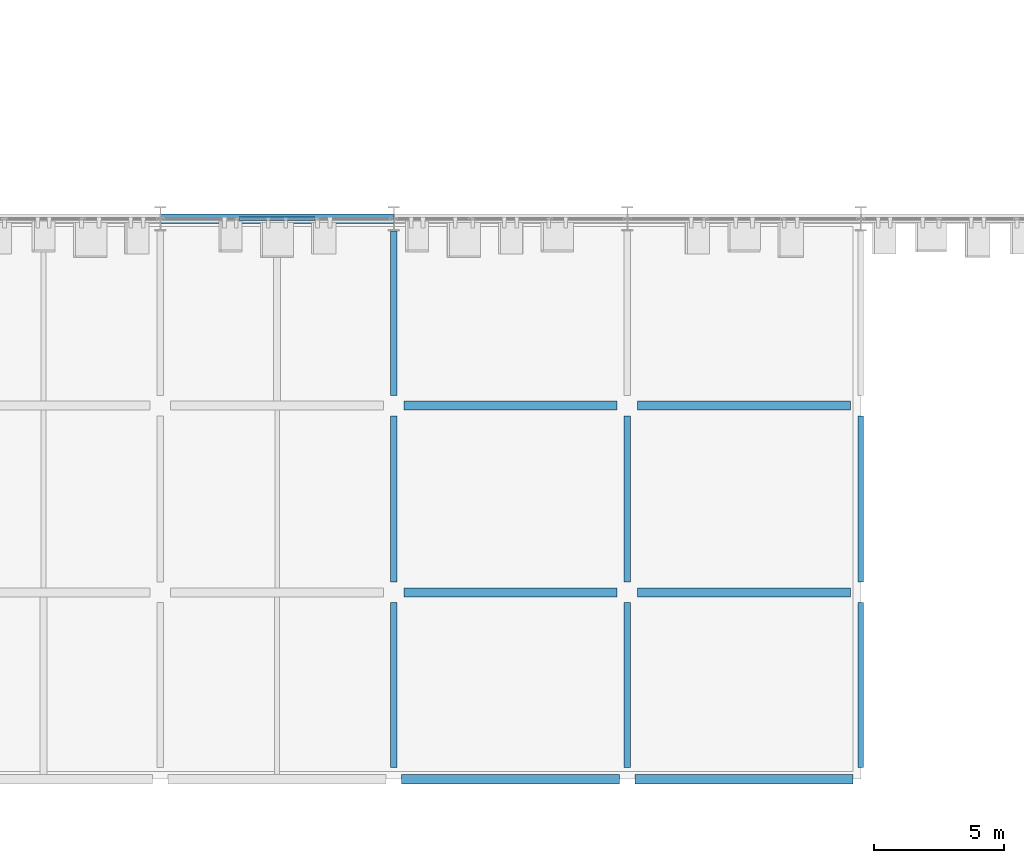
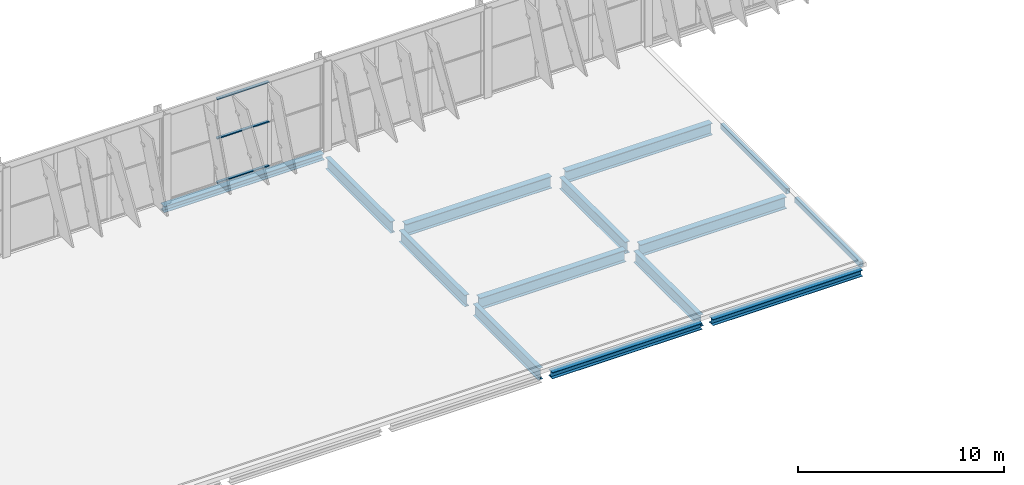
# One storey, part 28 of 189: 14 beams, 3 members, 1 element without a shape of its own.
"""IFC4 building model written with IfcOpenShell, lengths in metres."""

from ifc_helpers import new_model, si_unit, direction, frame, origin, origin_2d, place, context, subcontext, project, spatial, hollow_rectangle, i_section, extrude, material, layer, layer_set, material_profile, profile_set, type_object, element, aggregate, save


model = new_model("IFC4")

# Units and contexts
model_context = context("Model", 3, precision=1e-05, world=origin(), true_north=direction((0.0, 1.0)))
body_context = subcontext(model_context, "Body", "Model", "MODEL_VIEW")
ifc_project = project(units=[si_unit("LENGTHUNIT", "METRE"), si_unit("AREAUNIT", "SQUARE_METRE"), si_unit("VOLUMEUNIT", "CUBIC_METRE"), si_unit("PLANEANGLEUNIT", "RADIAN"), si_unit("MASSUNIT", "GRAM", prefix="KILO")], contexts=[model_context])

# Site, building, storey
site_placement = place(None, origin())
site = spatial("IfcSite", under=ifc_project, at=site_placement, CompositionType="ELEMENT")
building_placement = place(site_placement, origin())
building = spatial("IfcBuilding", under=site, at=building_placement, Name="Celestram Park Convention Centre", CompositionType="ELEMENT")
storey_placement = place(building_placement, frame((0.0, 0.0, 5.39990234375)))
storey = spatial("IfcBuildingStorey", under=building, at=storey_placement, Name="L01", CompositionType="ELEMENT", Elevation=5.39990234375)

# Curtain wall, members
ifc_material_1 = material(Name="Anodised Aluminium Alloy 6063-T6", Category="aluminium")
ifc_layer = layer(ifc_material_1, 0.179931640625)
ifc_layer_set = layer_set([ifc_layer], Name="Anodised Aluminium Alloy 6063-T6")
curtain_wall_type = type_object("IfcCurtainWallType", Name="ARC-CW-898X503", PredefinedType="NOTDEFINED", material=ifc_layer_set)
curtain_wall_placement = place(storey_placement, origin())
curtain_wall = element("IfcCurtainWall", 1, at=curtain_wall_placement, inside=storey, type_object=curtain_wall_type, Name="Unitised curtain wall CU-L01-130", PredefinedType="NOTDEFINED")
ifc_material_profile_1 = material_profile(ifc_material_1, hollow_rectangle(XDim=0.14990234375, YDim=0.06494140625, WallThickness=0.0029296875, at=origin_2d()), Name="ALU150X65X3")
ifc_profile_set_1 = profile_set([ifc_material_profile_1], Name="Anodised Aluminium Alloy 6063-T6")
member_type = type_object("IfcMemberType", Name="ARC-CWT-150", PredefinedType="USERDEFINED", material=ifc_profile_set_1)
member_1_placement = place(storey_placement, frame((95.959228515625, 21.60009765625, 0.03271484375), z_axis=(-1.0, 0.0, 0.0), x_axis=(0.0, -1.0, 0.0)))
member_1 = element("IfcMember", 2, at=member_1_placement, type_object=member_type, Name="CW-89X50 transom 2.1", ObjectType="TRANSOM", PredefinedType="USERDEFINED", context=body_context, shape_type="SweptSolid", body=[
    extrude(hollow_rectangle(XDim=0.14990234375, YDim=0.06494140625, WallThickness=0.0029296875, at=origin_2d()), origin(), (0.0, 0.0, 1.0), 2.91845703125),
])
member_2_placement = place(storey_placement, frame((95.959228515625, 21.60009765625, 2.650146484375), z_axis=(-1.0, 0.0, 0.0), x_axis=(0.0, -1.0, 0.0)))
member_2 = element("IfcMember", 3, at=member_2_placement, type_object=member_type, Name="CW-89X50 transom 2.2", ObjectType="TRANSOM", PredefinedType="USERDEFINED", context=body_context, shape_type="SweptSolid", body=[
    extrude(hollow_rectangle(XDim=0.14990234375, YDim=0.06494140625, WallThickness=0.0029296875, at=origin_2d()), origin(), (0.0, 0.0, 1.0), 2.91845703125),
])
member_3_placement = place(storey_placement, frame((95.959228515625, 21.60009765625, 4.99462890625), z_axis=(-1.0, 0.0, 0.0), x_axis=(0.0, -1.0, 0.0)))
member_3 = element("IfcMember", 4, at=member_3_placement, type_object=member_type, Name="CW-89X50 transom 2.3", ObjectType="TRANSOM", PredefinedType="USERDEFINED", context=body_context, shape_type="SweptSolid", body=[
    extrude(hollow_rectangle(XDim=0.14990234375, YDim=0.06494140625, WallThickness=0.0029296875, at=origin_2d()), origin(), (0.0, 0.0, 1.0), 2.91845703125),
])
aggregate(curtain_wall, [member_1, member_2, member_3])

# Beams
ifc_material_2 = material(Name="Steel ASTM A992 Grade 50", Category="steel")
ifc_material_profile_2 = material_profile(ifc_material_2, i_section(OverallWidth=0.35595703125, OverallDepth=0.696044921875, WebThickness=0.015380859375, FlangeThickness=0.02490234375, at=origin_2d()), Name="W27X146")
ifc_profile_set_2 = profile_set([ifc_material_profile_2], Name="Steel ASTM A992 Grade 50")
beam_type_1 = type_object("IfcBeamType", Name="STR-BM-W27X146", PredefinedType="BEAM", material=ifc_profile_set_2)
for number, where, z_axis, x_axis, name in (
    (5, (99.39794921875, 7.199951171875, -0.587890625), (1.0, 0.0, 0.0), (0.0, 1.0, 0.0), "Primary X-girder BG-L01-0187"),
    (6, (99.39794921875, 14.39990234375, -0.587890625), (1.0, 0.0, 0.0), (0.0, 1.0, 0.0), "Primary X-girder BG-L01-0189"),
    (7, (108.39794921875, 7.199951171875, -0.587890625), (1.0, 0.0, 0.0), (0.0, 1.0, 0.0), "Primary X-girder BG-L01-0210"),
    (8, (108.39794921875, 14.39990234375, -0.587890625), (1.0, 0.0, 0.0), (0.0, 1.0, 0.0), "Primary X-girder BG-L01-0212"),
):
    element("IfcBeam", number, at=place(storey_placement, frame(where, z_axis=z_axis, x_axis=x_axis)), inside=storey, type_object=beam_type_1, Name=name, PredefinedType="BEAM", context=body_context, shape_type="SweptSolid", body=[
        extrude(i_section(OverallWidth=0.35595703125, OverallDepth=0.696044921875, WebThickness=0.015380859375, FlangeThickness=0.02490234375, at=origin_2d()), origin(), (0.0, 0.0, 1.0), 8.2041015625),
    ])
ifc_material_profile_3 = material_profile(ifc_material_2, i_section(OverallWidth=0.25390625, OverallDepth=0.68310546875, WebThickness=0.012451171875, FlangeThickness=0.01904296875, at=origin_2d()), Name="W27X94")
ifc_profile_set_3 = profile_set([ifc_material_profile_3], Name="Steel ASTM A992 Grade 50")
beam_type_2 = type_object("IfcBeamType", Name="STR-BM-W27X94", PredefinedType="BEAM", material=ifc_profile_set_3)
beam_1_placement = place(storey_placement, frame((99.0, 0.447998046875, -0.581298828125), z_axis=(0.0, 1.0, 0.0), x_axis=(-1.0, 0.0, 0.0)))
element("IfcBeam", 9, at=beam_1_placement, inside=storey, type_object=beam_type_2, Name="Primary Y-girder BG-L01-0186", PredefinedType="BEAM", context=body_context, shape_type="SweptSolid", body=[
    extrude(i_section(OverallWidth=0.25390625, OverallDepth=0.68310546875, WebThickness=0.012451171875, FlangeThickness=0.01904296875, at=origin_2d()), origin(), (0.0, 0.0, 1.0), 6.35400390625),
])
beam_2_placement = place(storey_placement, frame((99.0, 7.597900390625, -0.581298828125), z_axis=(0.0, 1.0, 0.0), x_axis=(-1.0, 0.0, 0.0)))
element("IfcBeam", 10, at=beam_2_placement, inside=storey, type_object=beam_type_2, Name="Primary Y-girder BG-L01-0188", PredefinedType="BEAM", context=body_context, shape_type="SweptSolid", body=[
    extrude(i_section(OverallWidth=0.25390625, OverallDepth=0.68310546875, WebThickness=0.012451171875, FlangeThickness=0.01904296875, at=origin_2d()), origin(), (0.0, 0.0, 1.0), 6.404052734375),
])
beam_3_placement = place(storey_placement, frame((99.0, 14.798095703125, -0.581298828125), z_axis=(0.0, 1.0, 0.0), x_axis=(-1.0, 0.0, 0.0)))
element("IfcBeam", 11, at=beam_3_placement, inside=storey, type_object=beam_type_2, Name="Primary Y-girder BG-L01-0190", PredefinedType="BEAM", context=body_context, shape_type="SweptSolid", body=[
    extrude(i_section(OverallWidth=0.25390625, OverallDepth=0.68310546875, WebThickness=0.012451171875, FlangeThickness=0.01904296875, at=origin_2d()), origin(), (0.0, 0.0, 1.0), 6.337890625),
])
beam_4_placement = place(storey_placement, frame((108.0, 0.447998046875, -0.581298828125), z_axis=(0.0, 1.0, 0.0), x_axis=(-1.0, 0.0, 0.0)))
element("IfcBeam", 12, at=beam_4_placement, inside=storey, type_object=beam_type_2, Name="Primary Y-girder BG-L01-0209", PredefinedType="BEAM", context=body_context, shape_type="SweptSolid", body=[
    extrude(i_section(OverallWidth=0.25390625, OverallDepth=0.68310546875, WebThickness=0.012451171875, FlangeThickness=0.01904296875, at=origin_2d()), origin(), (0.0, 0.0, 1.0), 6.35400390625),
])
beam_5_placement = place(storey_placement, frame((108.0, 7.597900390625, -0.581298828125), z_axis=(0.0, 1.0, 0.0), x_axis=(-1.0, 0.0, 0.0)))
element("IfcBeam", 13, at=beam_5_placement, inside=storey, type_object=beam_type_2, Name="Primary Y-girder BG-L01-0211", PredefinedType="BEAM", context=body_context, shape_type="SweptSolid", body=[
    extrude(i_section(OverallWidth=0.25390625, OverallDepth=0.68310546875, WebThickness=0.012451171875, FlangeThickness=0.01904296875, at=origin_2d()), origin(), (0.0, 0.0, 1.0), 6.404052734375),
])
ifc_material_3 = material(Name="Steel ASTM A500 Grade C", Category="steel")
ifc_material_profile_4 = material_profile(ifc_material_3, hollow_rectangle(XDim=0.199951171875, YDim=0.300048828125, WallThickness=0.011962890625, at=origin_2d()), Name="HSS300X200X12")
ifc_profile_set_4 = profile_set([ifc_material_profile_4], Name="Steel ASTM A500 Grade C")
beam_type_3 = type_object("IfcBeamType", Name="STR-SPN-HSS300X200", PredefinedType="SPANDREL", material=ifc_profile_set_4)
beam_6_placement = place(storey_placement, frame((117.0, 0.447998046875, -0.389892578125), z_axis=(0.0, 1.0, 0.0), x_axis=(-1.0, 0.0, 0.0)))
element("IfcBeam", 14, at=beam_6_placement, inside=storey, type_object=beam_type_3, Name="Primary Y-girder BG-L01-0229", PredefinedType="SPANDREL", context=body_context, shape_type="SweptSolid", body=[
    extrude(hollow_rectangle(XDim=0.199951171875, YDim=0.300048828125, WallThickness=0.011962890625, at=origin_2d()), origin(), (0.0, 0.0, 1.0), 6.35400390625),
])
beam_7_placement = place(storey_placement, frame((117.0, 7.597900390625, -0.389892578125), z_axis=(0.0, 1.0, 0.0), x_axis=(-1.0, 0.0, 0.0)))
element("IfcBeam", 15, at=beam_7_placement, inside=storey, type_object=beam_type_3, Name="Primary Y-girder BG-L01-0230", PredefinedType="SPANDREL", context=body_context, shape_type="SweptSolid", body=[
    extrude(hollow_rectangle(XDim=0.199951171875, YDim=0.300048828125, WallThickness=0.011962890625, at=origin_2d()), origin(), (0.0, 0.0, 1.0), 6.404052734375),
])
ifc_material_profile_5 = material_profile(ifc_material_2, i_section(OverallWidth=0.373046875, OverallDepth=0.373046875, WebThickness=0.016357421875, FlangeThickness=0.026123046875, at=origin_2d()), Name="W14X132")
ifc_profile_set_5 = profile_set([ifc_material_profile_5], Name="Steel ASTM A992 Grade 50")
beam_type_4 = type_object("IfcBeamType", Name="STR-SPN-W14X132", PredefinedType="SPANDREL", material=ifc_profile_set_5)
beam_8_placement = place(storey_placement, frame((90.010009765625, 21.60009765625, -0.426513671875), z_axis=(1.0, 0.0, 0.0), x_axis=(0.0, 1.0, 0.0)))
element("IfcBeam", 16, at=beam_8_placement, inside=storey, type_object=beam_type_4, Name="Primary X-girder BG-L01-0169", PredefinedType="SPANDREL", context=body_context, shape_type="SweptSolid", body=[
    extrude(i_section(OverallWidth=0.373046875, OverallDepth=0.373046875, WebThickness=0.016357421875, FlangeThickness=0.026123046875, at=origin_2d()), origin(), (0.0, 0.0, 1.0), 8.97998046875),
])
for number, where, z_axis, x_axis, name in (
    (17, (99.298095703125, 0.0, -0.426513671875), (1.0, 0.0, 0.0), (0.0, 1.0, 0.0), "Primary X-girder BG-L01-0185"),
    (18, (108.298095703125, 0.0, -0.426513671875), (1.0, 0.0, 0.0), (0.0, 1.0, 0.0), "Primary X-girder BG-L01-0208"),
):
    element("IfcBeam", number, at=place(storey_placement, frame(where, z_axis=z_axis, x_axis=x_axis)), inside=storey, type_object=beam_type_4, Name=name, PredefinedType="SPANDREL", context=body_context, shape_type="SweptSolid", body=[
        extrude(i_section(OverallWidth=0.373046875, OverallDepth=0.373046875, WebThickness=0.016357421875, FlangeThickness=0.026123046875, at=origin_2d()), origin(), (0.0, 0.0, 1.0), 8.40380859375),
    ])

save(model, "model.ifc")
